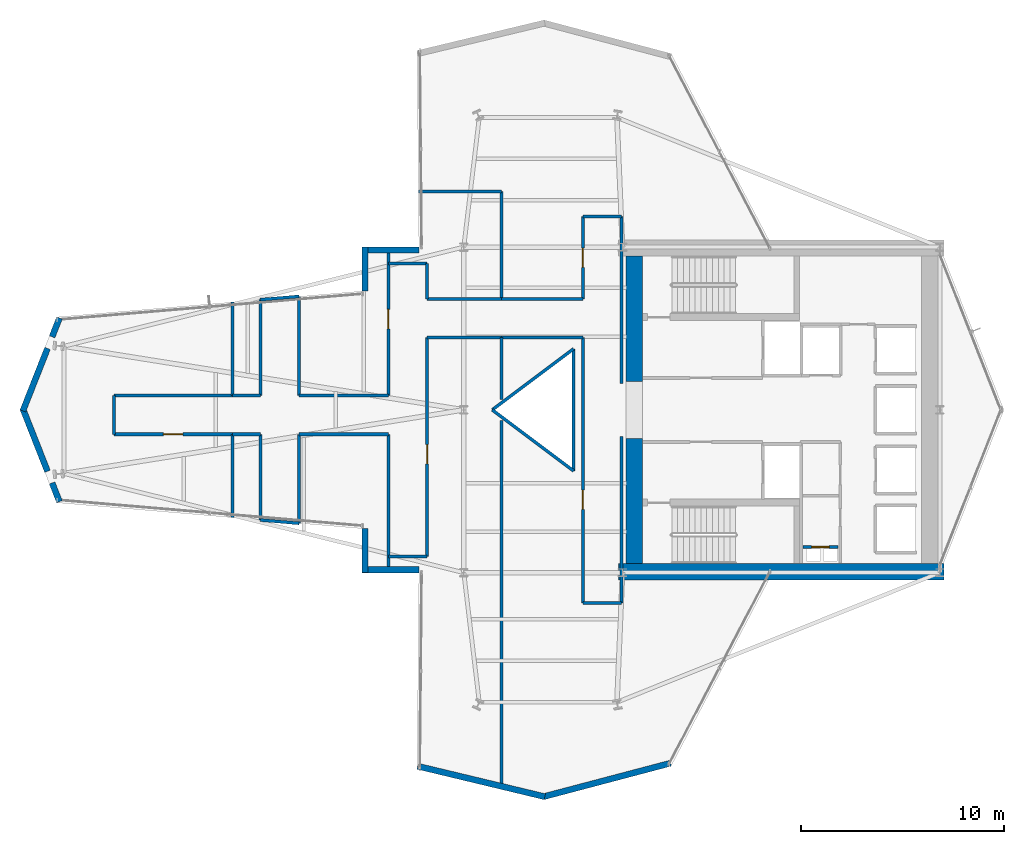
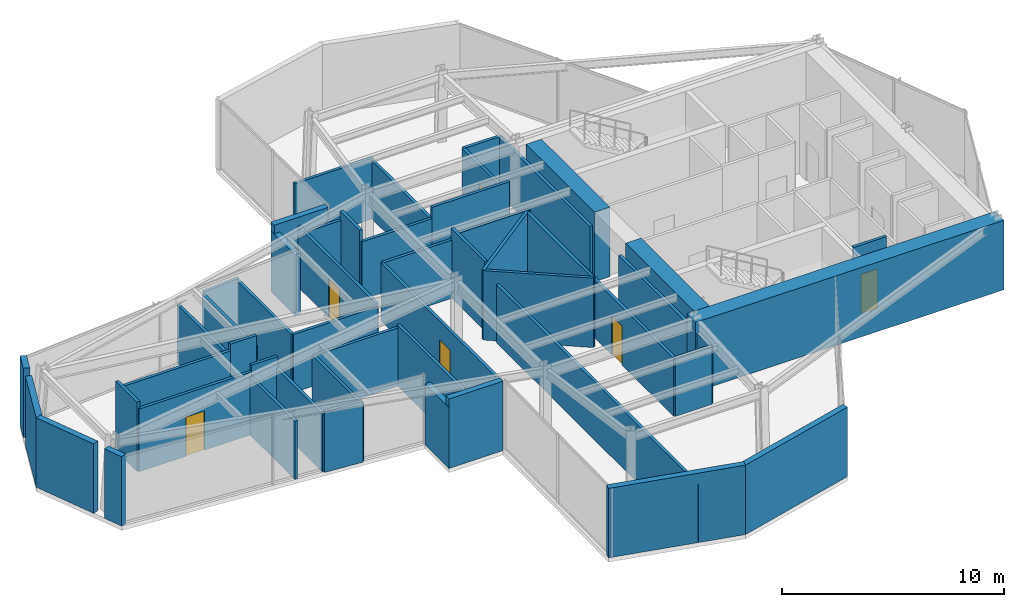
# One storey, part 22 of 25: 52 walls, 6 doors, 6 openings.
"""IFC4 building model written with IfcOpenShell, lengths in metres."""

from ifc_helpers import new_model, si_unit, direction, frame, frame_2d, origin, place, context, subcontext, project, spatial, rectangle, extrude, material, layer, layer_set, type_object, element, fill, save


model = new_model("IFC4")

# Units and contexts
model_context = context("Model", 3, precision=1e-05, world=origin(), true_north=direction((0.0, 1.0)))
body_context = subcontext(model_context, "Body", "Model", "MODEL_VIEW")
ifc_project = project(units=[si_unit("LENGTHUNIT", "METRE"), si_unit("AREAUNIT", "SQUARE_METRE"), si_unit("VOLUMEUNIT", "CUBIC_METRE"), si_unit("PLANEANGLEUNIT", "RADIAN"), si_unit("MASSUNIT", "GRAM", prefix="KILO")], contexts=[model_context])

# Site, building, storey
site_placement = place(None, origin())
site = spatial("IfcSite", under=ifc_project, at=site_placement, CompositionType="ELEMENT")
building_placement = place(site_placement, origin())
building = spatial("IfcBuilding", under=site, at=building_placement, Name="Veymaron Broadcast Tower", CompositionType="ELEMENT")
storey_placement = place(building_placement, frame((0.0, 0.0, 149.25)))
storey = spatial("IfcBuildingStorey", under=building, at=storey_placement, Name="L34", CompositionType="ELEMENT", Elevation=149.25)

# Walls
ifc_material_1 = material(Name="Precast concrete C40/50 with mineral-wool insulation", Category="concrete")
ifc_layer_1 = layer(ifc_material_1, 0.300048828125)
ifc_layer_set_1 = layer_set([ifc_layer_1], Name="Precast concrete C40/50 with mineral-wool insulation")
wall_type_1 = type_object("IfcWallType", Name="WALL-EXT-300", PredefinedType="STANDARD", material=ifc_layer_set_1)
wall_1_placement = place(storey_placement, frame((28.992431640625, 31.860107421875, 0.0), z_axis=(0.0, 0.0, 1.0), x_axis=(-1.0, 0.0, 0.0)))
element("IfcWall", 1, at=wall_1_placement, inside=storey, type_object=wall_type_1, Name="L34 notched corner facade pier 9-1", PredefinedType="STANDARD", context=body_context, shape_type="SweptSolid", body=[
    extrude(rectangle(XDim=2.79248046875, YDim=0.300048828125, at=frame_2d((1.396240234375, 0.0))), origin(), (0.0, 0.0, 1.0), 3.81005859375),
])
wall_2_placement = place(storey_placement, frame((26.340087890625, 32.0, 0.0), z_axis=(0.0, 0.0, 1.0), x_axis=(0.0, -1.0, 0.0)))
element("IfcWall", 2, at=wall_2_placement, inside=storey, type_object=wall_type_1, Name="L34 notched corner facade pier 10-1", PredefinedType="STANDARD", context=body_context, shape_type="SweptSolid", body=[
    extrude(rectangle(XDim=2.162109375, YDim=0.300048828125, at=frame_2d((1.0810546875, 0.0))), origin(), (0.0, 0.0, 1.0), 3.337890625),
])
wall_3_placement = place(storey_placement, frame((11.330078125, 28.514404296875, 0.0), z_axis=(0.0, 0.0, 1.0), x_axis=(-0.36655033137, -0.930398223651, 0.0)))
element("IfcWall", 3, at=wall_3_placement, inside=storey, type_object=wall_type_1, Name="L34 notched corner facade pier 12-1", PredefinedType="STANDARD", context=body_context, shape_type="SweptSolid", body=[
    extrude(rectangle(XDim=0.992431640625, YDim=0.300048828125, at=frame_2d((0.49609375, 0.0))), origin(), (0.0, 0.0, 1.0), 3.81005859375),
])
for number, where, z_axis, x_axis, name in (
    (4, (10.741455078125, 27.021240234375, 0.0), (0.0, 0.0, 1.0), (-0.366733939115, -0.930325866512, 0.0), "L34 notched corner facade pier 12-2"),
    (5, (9.5302734375, 24.05126953125, 0.0), (0.0, 0.0, 1.0), (0.366733939115, -0.930325866512, 0.0), "L34 notched corner facade pier 13-1"),
):
    element("IfcWall", number, at=place(storey_placement, frame(where, z_axis=z_axis, x_axis=x_axis)), inside=storey, type_object=wall_type_1, Name=name, PredefinedType="STANDARD", context=body_context, shape_type="SweptSolid", body=[
        extrude(rectangle(XDim=3.302734375, YDim=0.300048828125, at=frame_2d((1.6513671875, 0.0))), origin(), (0.0, 0.0, 1.0), 3.81005859375),
    ])
wall_4_placement = place(storey_placement, frame((10.96630859375, 20.408935546875, 0.0), z_axis=(0.0, 0.0, 1.0), x_axis=(0.36655033137, -0.930398223651, 0.0)))
element("IfcWall", 6, at=wall_4_placement, inside=storey, type_object=wall_type_1, Name="L34 notched corner facade pier 13-2", PredefinedType="STANDARD", context=body_context, shape_type="SweptSolid", body=[
    extrude(rectangle(XDim=0.992431640625, YDim=0.300048828125, at=frame_2d((0.49609375, 0.0))), origin(), (0.0, 0.0, 1.0), 3.81005859375),
])
wall_5_placement = place(storey_placement, frame((26.340087890625, 18.162109375, 0.0), z_axis=(0.0, 0.0, 1.0), x_axis=(0.0, -1.0, 0.0)))
element("IfcWall", 7, at=wall_5_placement, inside=storey, type_object=wall_type_1, Name="L34 notched corner facade pier 15-1", PredefinedType="STANDARD", context=body_context, shape_type="SweptSolid", body=[
    extrude(rectangle(XDim=2.162109375, YDim=0.300048828125, at=frame_2d((1.0810546875, 0.0))), origin(), (0.0, 0.0, 1.0), 3.337890625),
])
wall_6_placement = place(storey_placement, frame((26.199951171875, 16.139892578125, 0.0), z_axis=(0.0, 0.0, 1.0), x_axis=(1.0, 0.0, 0.0)))
element("IfcWall", 8, at=wall_6_placement, inside=storey, type_object=wall_type_1, Name="L34 notched corner facade pier 16-1", PredefinedType="STANDARD", context=body_context, shape_type="SweptSolid", body=[
    extrude(rectangle(XDim=2.79248046875, YDim=0.300048828125, at=frame_2d((1.396240234375, 0.0))), origin(), (0.0, 0.0, 1.0), 3.81005859375),
])
wall_7_placement = place(storey_placement, frame((28.934814453125, 6.486083984375, 0.0), z_axis=(0.0, 0.0, 1.0), x_axis=(0.972368674271, -0.233450554286, 0.0)))
element("IfcWall", 9, at=wall_7_placement, inside=storey, type_object=wall_type_1, Name="L34 notched corner facade pier 18-1", PredefinedType="STANDARD", context=body_context, shape_type="SweptSolid", body=[
    extrude(rectangle(XDim=6.42529296875, YDim=0.300048828125, at=frame_2d((3.212646484375, 0.0))), origin(), (0.0, 0.0, 1.0), 3.81005859375),
])
wall_8_placement = place(storey_placement, frame((35.1142578125, 4.9853515625, 0.0), z_axis=(0.0, 0.0, 1.0), x_axis=(0.966846094442, 0.255359804319, 0.0)))
element("IfcWall", 10, at=wall_8_placement, inside=storey, type_object=wall_type_1, Name="L34 notched corner facade pier 19-1", PredefinedType="STANDARD", context=body_context, shape_type="SweptSolid", body=[
    extrude(rectangle(XDim=6.462158203125, YDim=0.300048828125, at=frame_2d((3.23095703125, 0.0))), origin(), (0.0, 0.0, 1.0), 3.81005859375),
])

# Wall, opening, door
ifc_material_2 = material(Name="Gypsum fireboard and steel stud framing", Category="steel")
ifc_layer_2 = layer(ifc_material_2, 0.14990234375)
ifc_layer_set_2 = layer_set([ifc_layer_2], Name="Gypsum fireboard and steel stud framing")
wall_type_2 = type_object("IfcWallType", Name="WALL-FIRE-150", PredefinedType="PARTITIONING", material=ifc_layer_set_2)
wall_9_placement = place(storey_placement, frame((47.8798828125, 17.260009765625, 0.0), z_axis=(0.0, 0.0, 1.0), x_axis=(1.0, 0.0, 0.0)))
wall_9 = element("IfcWall", 11, at=wall_9_placement, inside=storey, type_object=wall_type_2, Name="L34 partition IW-L34-RIS-N", PredefinedType="PARTITIONING", context=body_context, shape_type="SweptSolid", body=[
    extrude(rectangle(XDim=1.72021484375, YDim=0.14990234375, at=frame_2d((0.860107421875, 0.0))), origin(), (0.0, 0.0, 1.0), 3.81005859375),
])
opening_1_placement = place(wall_9_placement, frame((0.419921875, 0.0, 0.0)))
opening_1 = element("IfcOpeningElement", 12, at=opening_1_placement, cuts=wall_9, Name="Opening ID-RS1", PredefinedType="OPENING", context=body_context, shape_type="SweptSolid", body=[
    extrude(rectangle(XDim=0.85009765625, YDim=2.14990234375, at=frame_2d((0.425048828125, 1.074951171875))), frame((0.0, 0.0849609375, 0.0), z_axis=(0.0, -1.0, 0.0), x_axis=(1.0, 0.0, 0.0)), (0.0, 0.0, 1.0), 0.169921875),
])
ifc_material_3 = material(Name="Fire-rated powder-coated steel riser leaf", Category="steel")
door_type_1 = type_object("IfcDoorType", Name="DOOR-RIS-850", OperationType="NOTDEFINED", PredefinedType="TRAPDOOR", material=ifc_material_3)
door_1_placement = place(opening_1_placement, origin())
door_1 = element("IfcDoor", 13, at=door_1_placement, inside=storey, type_object=door_type_1, Name="L34 door DR-L34-RIS", OperationType="SINGLE_SWING_LEFT", OverallHeight=2.14990234375, OverallWidth=0.85009765625, PredefinedType="TRAPDOOR", context=body_context, shape_type="SweptSolid", body=[
    extrude(rectangle(XDim=0.85009765625, YDim=2.14990234375, at=frame_2d((0.425048828125, 1.074951171875))), frame((0.0, 0.02490234375, 0.0), z_axis=(0.0, -1.0, 0.0), x_axis=(1.0, 0.0, 0.0)), (0.0, 0.0, 1.0), 0.050048828125),
])
fill(opening_1, door_1)

wall_10_placement = place(storey_placement, frame((37.050048828125, 14.5, 0.0), z_axis=(0.0, 0.0, 1.0), x_axis=(0.0, 1.0, 0.0)))
wall_10 = element("IfcWall", 14, at=wall_10_placement, inside=storey, type_object=wall_type_2, Name="L34 partition IW-L34-P01", PredefinedType="PARTITIONING", context=body_context, shape_type="SweptSolid", body=[
    extrude(rectangle(XDim=13.050048828125, YDim=0.14990234375, at=frame_2d((6.52490234375, 0.0))), origin(), (0.0, 0.0, 1.0), 3.18994140625),
])
opening_2_placement = place(wall_10_placement, frame((4.610107421875, 0.0, 0.0)))
opening_2 = element("IfcOpeningElement", 15, at=opening_2_placement, cuts=wall_10, Name="Opening ID-RM1", PredefinedType="OPENING", context=body_context, shape_type="SweptSolid", body=[
    extrude(rectangle(XDim=0.949951171875, YDim=2.14990234375, at=frame_2d((0.47509765625, 1.074951171875))), frame((0.0, 0.0849609375, 0.0), z_axis=(0.0, -1.0, 0.0), x_axis=(1.0, 0.0, 0.0)), (0.0, 0.0, 1.0), 0.169921875),
])
ifc_material_4 = material(Name="Acoustic solid-core European oak veneer timber", Category="wood")
door_type_2 = type_object("IfcDoorType", Name="DOOR-INT-950", OperationType="NOTDEFINED", PredefinedType="DOOR", material=ifc_material_4)
door_2_placement = place(opening_2_placement, frame((0.949951171875, 0.0, 0.0), z_axis=(0.0, 0.0, 1.0), x_axis=(-1.0, 0.0, 0.0)))
door_2 = element("IfcDoor", 16, at=door_2_placement, inside=storey, type_object=door_type_2, Name="L34 door DR-L34-P01", OperationType="SINGLE_SWING_RIGHT", OverallHeight=2.14990234375, OverallWidth=0.949951171875, PredefinedType="DOOR", context=body_context, shape_type="SweptSolid", body=[
    extrude(rectangle(XDim=0.949951171875, YDim=2.14990234375, at=frame_2d((0.47509765625, 1.074951171875))), frame((0.0, 0.02490234375, 0.0), z_axis=(0.0, -1.0, 0.0), x_axis=(1.0, 0.0, 0.0)), (0.0, 0.0, 1.0), 0.050048828125),
])
fill(opening_2, door_2)

wall_11_placement = place(storey_placement, frame((29.39990234375, 16.800048828125, 0.0), z_axis=(0.0, 0.0, 1.0), x_axis=(0.0, 1.0, 0.0)))
wall_11 = element("IfcWall", 17, at=wall_11_placement, inside=storey, type_object=wall_type_2, Name="L34 partition IW-L34-P05", PredefinedType="PARTITIONING", context=body_context, shape_type="SweptSolid", body=[
    extrude(rectangle(XDim=10.75, YDim=0.14990234375, at=frame_2d((5.375, 0.0))), origin(), (0.0, 0.0, 1.0), 3.18994140625),
])
opening_3_placement = place(wall_11_placement, frame((4.5400390625, 0.0, 0.0)))
opening_3 = element("IfcOpeningElement", 18, at=opening_3_placement, cuts=wall_11, Name="Opening ID-RM1", PredefinedType="OPENING", context=body_context, shape_type="SweptSolid", body=[
    extrude(rectangle(XDim=0.949951171875, YDim=2.14990234375, at=frame_2d((0.47509765625, 1.074951171875))), frame((0.0, 0.0849609375, 0.0), z_axis=(0.0, -1.0, 0.0), x_axis=(1.0, 0.0, 0.0)), (0.0, 0.0, 1.0), 0.169921875),
])
door_3_placement = place(opening_3_placement, frame((0.949951171875, 0.0, 0.0), z_axis=(0.0, 0.0, 1.0), x_axis=(-1.0, 0.0, 0.0)))
door_3 = element("IfcDoor", 19, at=door_3_placement, inside=storey, type_object=door_type_2, Name="L34 door DR-L34-P05", OperationType="SINGLE_SWING_RIGHT", OverallHeight=2.14990234375, OverallWidth=0.949951171875, PredefinedType="DOOR", context=body_context, shape_type="SweptSolid", body=[
    extrude(rectangle(XDim=0.949951171875, YDim=2.14990234375, at=frame_2d((0.47509765625, 1.074951171875))), frame((0.0, 0.02490234375, 0.0), z_axis=(0.0, -1.0, 0.0), x_axis=(1.0, 0.0, 0.0)), (0.0, 0.0, 1.0), 0.050048828125),
])
fill(opening_3, door_3)

wall_12_placement = place(storey_placement, frame((14.0, 22.800048828125, 0.0), z_axis=(0.0, 0.0, 1.0), x_axis=(1.0, 0.0, 0.0)))
wall_12 = element("IfcWall", 20, at=wall_12_placement, inside=storey, type_object=wall_type_2, Name="L34 partition IW-L34-P14", PredefinedType="PARTITIONING", context=body_context, shape_type="SweptSolid", body=[
    extrude(rectangle(XDim=5.8310546875, YDim=0.14990234375, at=frame_2d((2.91552734375, 0.0))), origin(), (0.0, 0.0, 1.0), 3.443115234375),
])
opening_4_placement = place(wall_12_placement, frame((2.4404296875, 0.0, 0.0)))
opening_4 = element("IfcOpeningElement", 21, at=opening_4_placement, cuts=wall_12, Name="Opening ID-RM1", PredefinedType="OPENING", context=body_context, shape_type="SweptSolid", body=[
    extrude(rectangle(XDim=0.949951171875, YDim=2.14990234375, at=frame_2d((0.47509765625, 1.074951171875))), frame((0.0, 0.0849609375, 0.0), z_axis=(0.0, -1.0, 0.0), x_axis=(1.0, 0.0, 0.0)), (0.0, 0.0, 1.0), 0.169921875),
])
door_4_placement = place(opening_4_placement, frame((0.949951171875, 0.0, 0.0), z_axis=(0.0, 0.0, 1.0), x_axis=(-1.0, 0.0, 0.0)))
door_4 = element("IfcDoor", 22, at=door_4_placement, inside=storey, type_object=door_type_2, Name="L34 door DR-L34-P14", OperationType="SINGLE_SWING_LEFT", OverallHeight=2.14990234375, OverallWidth=0.949951171875, PredefinedType="DOOR", context=body_context, shape_type="SweptSolid", body=[
    extrude(rectangle(XDim=0.949951171875, YDim=2.14990234375, at=frame_2d((0.47509765625, 1.074951171875))), frame((0.0, 0.02490234375, 0.0), z_axis=(0.0, -1.0, 0.0), x_axis=(1.0, 0.0, 0.0)), (0.0, 0.0, 1.0), 0.050048828125),
])
fill(opening_4, door_4)

wall_13_placement = place(storey_placement, frame((27.5, 24.699951171875, 0.0), z_axis=(0.0, 0.0, 1.0), x_axis=(0.0, 1.0, 0.0)))
wall_13 = element("IfcWall", 23, at=wall_13_placement, inside=storey, type_object=wall_type_2, Name="L34 partition IW-L34-P17", PredefinedType="PARTITIONING", context=body_context, shape_type="SweptSolid", body=[
    extrude(rectangle(XDim=7.16015625, YDim=0.14990234375, at=frame_2d((3.580078125, 0.0))), origin(), (0.0, 0.0, 1.0), 3.337890625),
])
opening_5_placement = place(wall_13_placement, frame((3.284912109375, 0.0, 0.0)))
opening_5 = element("IfcOpeningElement", 24, at=opening_5_placement, cuts=wall_13, Name="Opening ID-RM1", PredefinedType="OPENING", context=body_context, shape_type="SweptSolid", body=[
    extrude(rectangle(XDim=0.949951171875, YDim=2.14990234375, at=frame_2d((0.47509765625, 1.074951171875))), frame((0.0, 0.0849609375, 0.0), z_axis=(0.0, -1.0, 0.0), x_axis=(1.0, 0.0, 0.0)), (0.0, 0.0, 1.0), 0.169921875),
])
door_5_placement = place(opening_5_placement, origin())
door_5 = element("IfcDoor", 25, at=door_5_placement, inside=storey, type_object=door_type_2, Name="L34 door DR-L34-P17", OperationType="SINGLE_SWING_RIGHT", OverallHeight=2.14990234375, OverallWidth=0.949951171875, PredefinedType="DOOR", context=body_context, shape_type="SweptSolid", body=[
    extrude(rectangle(XDim=0.949951171875, YDim=2.14990234375, at=frame_2d((0.47509765625, 1.074951171875))), frame((0.0, 0.02490234375, 0.0), z_axis=(0.0, -1.0, 0.0), x_axis=(1.0, 0.0, 0.0)), (0.0, 0.0, 1.0), 0.050048828125),
])
fill(opening_5, door_5)

wall_14_placement = place(storey_placement, frame((37.050048828125, 29.449951171875, 0.0), z_axis=(0.0, 0.0, 1.0), x_axis=(0.0, 1.0, 0.0)))
wall_14 = element("IfcWall", 26, at=wall_14_placement, inside=storey, type_object=wall_type_2, Name="L34 partition IW-L34-P27", PredefinedType="PARTITIONING", context=body_context, shape_type="SweptSolid", body=[
    extrude(rectangle(XDim=4.050048828125, YDim=0.14990234375, at=frame_2d((2.02490234375, 0.0))), origin(), (0.0, 0.0, 1.0), 3.18994140625),
])
opening_6_placement = place(wall_14_placement, frame((1.550048828125, 0.0, 0.0)))
opening_6 = element("IfcOpeningElement", 27, at=opening_6_placement, cuts=wall_14, Name="Opening ID-RM1", PredefinedType="OPENING", context=body_context, shape_type="SweptSolid", body=[
    extrude(rectangle(XDim=0.949951171875, YDim=2.14990234375, at=frame_2d((0.47509765625, 1.074951171875))), frame((0.0, 0.0849609375, 0.0), z_axis=(0.0, -1.0, 0.0), x_axis=(1.0, 0.0, 0.0)), (0.0, 0.0, 1.0), 0.169921875),
])
door_6_placement = place(opening_6_placement, origin())
door_6 = element("IfcDoor", 28, at=door_6_placement, inside=storey, type_object=door_type_2, Name="L34 door DR-L34-P27", OperationType="SINGLE_SWING_RIGHT", OverallHeight=2.14990234375, OverallWidth=0.949951171875, PredefinedType="DOOR", context=body_context, shape_type="SweptSolid", body=[
    extrude(rectangle(XDim=0.949951171875, YDim=2.14990234375, at=frame_2d((0.47509765625, 1.074951171875))), frame((0.0, 0.02490234375, 0.0), z_axis=(0.0, -1.0, 0.0), x_axis=(1.0, 0.0, 0.0)), (0.0, 0.0, 1.0), 0.050048828125),
])
fill(opening_6, door_6)

# Walls
wall_15_placement = place(storey_placement, frame((38.949951171875, 14.5, 0.0), z_axis=(0.0, 0.0, 1.0), x_axis=(0.0, 1.0, 0.0)))
element("IfcWall", 29, at=wall_15_placement, inside=storey, type_object=wall_type_2, Name="L34 partition IW-L34-P02", PredefinedType="PARTITIONING", context=body_context, shape_type="SweptSolid", body=[
    extrude(rectangle(XDim=8.199951171875, YDim=0.14990234375, at=frame_2d((4.10009765625, 0.0))), origin(), (0.0, 0.0, 1.0), 3.18994140625),
])
wall_16_placement = place(storey_placement, frame((33.0439453125, 27.550048828125, 0.0), z_axis=(0.0, 0.0, 1.0), x_axis=(1.0, 0.0, 0.0)))
element("IfcWall", 30, at=wall_16_placement, inside=storey, type_object=wall_type_2, Name="L34 partition IW-L34-P03", PredefinedType="PARTITIONING", context=body_context, shape_type="SweptSolid", body=[
    extrude(rectangle(XDim=4.006103515625, YDim=0.14990234375, at=frame_2d((2.0029296875, 0.0))), origin(), (0.0, 0.0, 1.0), 3.443115234375),
])
wall_17_placement = place(storey_placement, frame((37.050048828125, 14.5, 0.0), z_axis=(0.0, 0.0, 1.0), x_axis=(1.0, 0.0, 0.0)))
element("IfcWall", 31, at=wall_17_placement, inside=storey, type_object=wall_type_2, Name="L34 partition IW-L34-P04", PredefinedType="PARTITIONING", context=body_context, shape_type="SweptSolid", body=[
    extrude(rectangle(XDim=1.89990234375, YDim=0.14990234375, at=frame_2d((0.949951171875, 0.0))), origin(), (0.0, 0.0, 1.0), 3.18994140625),
])
wall_18_placement = place(storey_placement, frame((27.5, 16.139892578125, 0.0), z_axis=(0.0, 0.0, 1.0), x_axis=(0.0, 1.0, 0.0)))
element("IfcWall", 32, at=wall_18_placement, inside=storey, type_object=wall_type_2, Name="L34 partition IW-L34-P06", PredefinedType="PARTITIONING", context=body_context, shape_type="SweptSolid", body=[
    extrude(rectangle(XDim=6.66015625, YDim=0.14990234375, at=frame_2d((3.330078125, 0.0))), origin(), (0.0, 0.0, 1.0), 3.337890625),
])
wall_19_placement = place(storey_placement, frame((23.10009765625, 22.800048828125, 0.0), z_axis=(0.0, 0.0, 1.0), x_axis=(1.0, 0.0, 0.0)))
element("IfcWall", 33, at=wall_19_placement, inside=storey, type_object=wall_type_2, Name="L34 partition IW-L34-P07", PredefinedType="PARTITIONING", context=body_context, shape_type="SweptSolid", body=[
    extrude(rectangle(XDim=4.39990234375, YDim=0.14990234375, at=frame_2d((2.199951171875, 0.0))), origin(), (0.0, 0.0, 1.0), 3.18994140625),
])
wall_20_placement = place(storey_placement, frame((23.10009765625, 18.425048828125, 0.0), z_axis=(0.0, 0.0, 1.0), x_axis=(0.0, 1.0, 0.0)))
element("IfcWall", 34, at=wall_20_placement, inside=storey, type_object=wall_type_2, Name="L34 partition IW-L34-P08", PredefinedType="PARTITIONING", context=body_context, shape_type="SweptSolid", body=[
    extrude(rectangle(XDim=4.375, YDim=0.14990234375, at=frame_2d((2.1875, 0.0))), origin(), (0.0, 0.0, 1.0), 3.18994140625),
])
wall_21_placement = place(storey_placement, frame((21.199951171875, 18.586181640625, 0.0), z_axis=(0.0, 0.0, 1.0), x_axis=(0.0, 1.0, 0.0)))
element("IfcWall", 35, at=wall_21_placement, inside=storey, type_object=wall_type_2, Name="L34 partition IW-L34-P09", PredefinedType="PARTITIONING", context=body_context, shape_type="SweptSolid", body=[
    extrude(rectangle(XDim=4.2138671875, YDim=0.14990234375, at=frame_2d((2.10693359375, 0.0))), origin(), (0.0, 0.0, 1.0), 3.18994140625),
])
wall_22_placement = place(storey_placement, frame((29.39990234375, 27.550048828125, 0.0), z_axis=(0.0, 0.0, 1.0), x_axis=(1.0, 0.0, 0.0)))
element("IfcWall", 36, at=wall_22_placement, inside=storey, type_object=wall_type_2, Name="L34 partition IW-L34-P10", PredefinedType="PARTITIONING", context=body_context, shape_type="SweptSolid", body=[
    extrude(rectangle(XDim=3.64404296875, YDim=0.14990234375, at=frame_2d((1.822021484375, 0.0))), origin(), (0.0, 0.0, 1.0), 3.18994140625),
])
wall_23_placement = place(storey_placement, frame((21.199951171875, 18.586181640625, 0.0), z_axis=(0.0, 0.0, 1.0), x_axis=(0.996423738921, -0.084496937902, 0.0)))
element("IfcWall", 37, at=wall_23_placement, inside=storey, type_object=wall_type_2, Name="L34 partition IW-L34-P11", PredefinedType="PARTITIONING", context=body_context, shape_type="SweptSolid", body=[
    extrude(rectangle(XDim=1.906982421875, YDim=0.14990234375, at=frame_2d((0.95361328125, 0.0))), origin(), (0.0, 0.0, 1.0), 3.337890625),
])
wall_24_placement = place(storey_placement, frame((27.5, 16.800048828125, 0.0), z_axis=(0.0, 0.0, 1.0), x_axis=(1.0, 0.0, 0.0)))
element("IfcWall", 38, at=wall_24_placement, inside=storey, type_object=wall_type_2, Name="L34 partition IW-L34-P12", PredefinedType="PARTITIONING", context=body_context, shape_type="SweptSolid", body=[
    extrude(rectangle(XDim=1.89990234375, YDim=0.14990234375, at=frame_2d((0.949951171875, 0.0))), origin(), (0.0, 0.0, 1.0), 3.337890625),
])
wall_25_placement = place(storey_placement, frame((19.8310546875, 22.800048828125, 0.0), z_axis=(0.0, 0.0, 1.0), x_axis=(1.0, 0.0, 0.0)))
element("IfcWall", 39, at=wall_25_placement, inside=storey, type_object=wall_type_2, Name="L34 partition IW-L34-P13", PredefinedType="PARTITIONING", context=body_context, shape_type="SweptSolid", body=[
    extrude(rectangle(XDim=1.368896484375, YDim=0.14990234375, at=frame_2d((0.6845703125, 0.0))), origin(), (0.0, 0.0, 1.0), 3.81005859375),
])
wall_26_placement = place(storey_placement, frame((14.0, 24.699951171875, 0.0), z_axis=(0.0, 0.0, 1.0), x_axis=(1.0, 0.0, 0.0)))
element("IfcWall", 40, at=wall_26_placement, inside=storey, type_object=wall_type_2, Name="L34 partition IW-L34-P15", PredefinedType="PARTITIONING", context=body_context, shape_type="SweptSolid", body=[
    extrude(rectangle(XDim=5.8310546875, YDim=0.14990234375, at=frame_2d((2.91552734375, 0.0))), origin(), (0.0, 0.0, 1.0), 3.443115234375),
])
wall_27_placement = place(storey_placement, frame((14.0, 22.800048828125, 0.0), z_axis=(0.0, 0.0, 1.0), x_axis=(0.0, 1.0, 0.0)))
element("IfcWall", 41, at=wall_27_placement, inside=storey, type_object=wall_type_2, Name="L34 partition IW-L34-P16", PredefinedType="PARTITIONING", context=body_context, shape_type="SweptSolid", body=[
    extrude(rectangle(XDim=1.89990234375, YDim=0.14990234375, at=frame_2d((0.949951171875, 0.0))), origin(), (0.0, 0.0, 1.0), 3.81005859375),
])
wall_28_placement = place(storey_placement, frame((23.10009765625, 24.699951171875, 0.0), z_axis=(0.0, 0.0, 1.0), x_axis=(0.0, 1.0, 0.0)))
element("IfcWall", 42, at=wall_28_placement, inside=storey, type_object=wall_type_2, Name="L34 partition IW-L34-P18", PredefinedType="PARTITIONING", context=body_context, shape_type="SweptSolid", body=[
    extrude(rectangle(XDim=4.875, YDim=0.14990234375, at=frame_2d((2.4375, 0.0))), origin(), (0.0, 0.0, 1.0), 3.18994140625),
])
wall_29_placement = place(storey_placement, frame((21.199951171875, 24.699951171875, 0.0), z_axis=(0.0, 0.0, 1.0), x_axis=(0.0, 1.0, 0.0)))
element("IfcWall", 43, at=wall_29_placement, inside=storey, type_object=wall_type_2, Name="L34 partition IW-L34-P19", PredefinedType="PARTITIONING", context=body_context, shape_type="SweptSolid", body=[
    extrude(rectangle(XDim=4.7138671875, YDim=0.14990234375, at=frame_2d((2.35693359375, 0.0))), origin(), (0.0, 0.0, 1.0), 3.18994140625),
])
wall_30_placement = place(storey_placement, frame((23.10009765625, 24.699951171875, 0.0), z_axis=(0.0, 0.0, 1.0), x_axis=(1.0, 0.0, 0.0)))
element("IfcWall", 44, at=wall_30_placement, inside=storey, type_object=wall_type_2, Name="L34 partition IW-L34-P20", PredefinedType="PARTITIONING", context=body_context, shape_type="SweptSolid", body=[
    extrude(rectangle(XDim=4.39990234375, YDim=0.14990234375, at=frame_2d((2.199951171875, 0.0))), origin(), (0.0, 0.0, 1.0), 3.18994140625),
])
wall_31_placement = place(storey_placement, frame((29.39990234375, 29.449951171875, 0.0), z_axis=(0.0, 0.0, 1.0), x_axis=(1.0, 0.0, 0.0)))
element("IfcWall", 45, at=wall_31_placement, inside=storey, type_object=wall_type_2, Name="L34 partition IW-L34-P21", PredefinedType="PARTITIONING", context=body_context, shape_type="SweptSolid", body=[
    extrude(rectangle(XDim=3.64404296875, YDim=0.14990234375, at=frame_2d((1.822021484375, 0.0))), origin(), (0.0, 0.0, 1.0), 3.18994140625),
])
wall_32_placement = place(storey_placement, frame((21.199951171875, 29.413818359375, 0.0), z_axis=(0.0, 0.0, 1.0), x_axis=(0.996423738921, 0.084496937902, 0.0)))
element("IfcWall", 46, at=wall_32_placement, inside=storey, type_object=wall_type_2, Name="L34 partition IW-L34-P22", PredefinedType="PARTITIONING", context=body_context, shape_type="SweptSolid", body=[
    extrude(rectangle(XDim=1.906982421875, YDim=0.14990234375, at=frame_2d((0.95361328125, 0.0))), origin(), (0.0, 0.0, 1.0), 3.337890625),
])
wall_33_placement = place(storey_placement, frame((27.5, 31.199951171875, 0.0), z_axis=(0.0, 0.0, 1.0), x_axis=(1.0, 0.0, 0.0)))
element("IfcWall", 47, at=wall_33_placement, inside=storey, type_object=wall_type_2, Name="L34 partition IW-L34-P23", PredefinedType="PARTITIONING", context=body_context, shape_type="SweptSolid", body=[
    extrude(rectangle(XDim=1.89990234375, YDim=0.14990234375, at=frame_2d((0.949951171875, 0.0))), origin(), (0.0, 0.0, 1.0), 3.337890625),
])
wall_34_placement = place(storey_placement, frame((29.39990234375, 29.449951171875, 0.0), z_axis=(0.0, 0.0, 1.0), x_axis=(0.0, 1.0, 0.0)))
element("IfcWall", 48, at=wall_34_placement, inside=storey, type_object=wall_type_2, Name="L34 partition IW-L34-P24", PredefinedType="PARTITIONING", context=body_context, shape_type="SweptSolid", body=[
    extrude(rectangle(XDim=1.75, YDim=0.14990234375, at=frame_2d((0.875, 0.0))), origin(), (0.0, 0.0, 1.0), 3.81005859375),
])
wall_35_placement = place(storey_placement, frame((19.8310546875, 24.699951171875, 0.0), z_axis=(0.0, 0.0, 1.0), x_axis=(1.0, 0.0, 0.0)))
element("IfcWall", 49, at=wall_35_placement, inside=storey, type_object=wall_type_2, Name="L34 partition IW-L34-P25", PredefinedType="PARTITIONING", context=body_context, shape_type="SweptSolid", body=[
    extrude(rectangle(XDim=1.368896484375, YDim=0.14990234375, at=frame_2d((0.6845703125, 0.0))), origin(), (0.0, 0.0, 1.0), 3.81005859375),
])
wall_36_placement = place(storey_placement, frame((38.949951171875, 25.300048828125, 0.0), z_axis=(0.0, 0.0, 1.0), x_axis=(0.0, 1.0, 0.0)))
element("IfcWall", 50, at=wall_36_placement, inside=storey, type_object=wall_type_2, Name="L34 partition IW-L34-P26", PredefinedType="PARTITIONING", context=body_context, shape_type="SweptSolid", body=[
    extrude(rectangle(XDim=8.199951171875, YDim=0.14990234375, at=frame_2d((4.10009765625, 0.0))), origin(), (0.0, 0.0, 1.0), 3.18994140625),
])
wall_37_placement = place(storey_placement, frame((33.0439453125, 29.449951171875, 0.0), z_axis=(0.0, 0.0, 1.0), x_axis=(1.0, 0.0, 0.0)))
element("IfcWall", 51, at=wall_37_placement, inside=storey, type_object=wall_type_2, Name="L34 partition IW-L34-P28", PredefinedType="PARTITIONING", context=body_context, shape_type="SweptSolid", body=[
    extrude(rectangle(XDim=4.006103515625, YDim=0.14990234375, at=frame_2d((2.0029296875, 0.0))), origin(), (0.0, 0.0, 1.0), 3.81005859375),
])
wall_38_placement = place(storey_placement, frame((37.050048828125, 33.5, 0.0), z_axis=(0.0, 0.0, 1.0), x_axis=(1.0, 0.0, 0.0)))
element("IfcWall", 52, at=wall_38_placement, inside=storey, type_object=wall_type_2, Name="L34 partition IW-L34-P29", PredefinedType="PARTITIONING", context=body_context, shape_type="SweptSolid", body=[
    extrude(rectangle(XDim=1.89990234375, YDim=0.14990234375, at=frame_2d((0.949951171875, 0.0))), origin(), (0.0, 0.0, 1.0), 3.18994140625),
])
ifc_material_5 = material(Name="Fire-rated laminated glass in aluminium frame", Category="aluminium")
ifc_layer_3 = layer(ifc_material_5, 0.14990234375)
ifc_layer_set_3 = layer_set([ifc_layer_3], Name="Fire-rated laminated glass in aluminium frame")
wall_type_3 = type_object("IfcWallType", Name="WALL-GLZ-150", PredefinedType="MOVABLE", material=ifc_layer_set_3)
wall_39_placement = place(storey_placement, frame((33.0439453125, 5.355712890625, 0.0), z_axis=(0.0, 0.0, 1.0), x_axis=(0.0, 1.0, 0.0)))
element("IfcWall", 53, at=wall_39_placement, inside=storey, type_object=wall_type_3, Name="L34 partition IW-L34-P30", PredefinedType="MOVABLE", context=body_context, shape_type="SweptSolid", body=[
    extrude(rectangle(XDim=18.123779296875, YDim=0.14990234375, at=frame_2d((9.06201171875, 0.0))), origin(), (0.0, 0.0, 1.0), 3.18994140625),
])
wall_40_placement = place(storey_placement, frame((33.0439453125, 24.5205078125, 0.0), z_axis=(0.0, 0.0, 1.0), x_axis=(0.0, 1.0, 0.0)))
element("IfcWall", 54, at=wall_40_placement, inside=storey, type_object=wall_type_3, Name="L34 partition IW-L34-P31", PredefinedType="MOVABLE", context=body_context, shape_type="SweptSolid", body=[
    extrude(rectangle(XDim=3.029541015625, YDim=0.14990234375, at=frame_2d((1.5146484375, 0.0))), origin(), (0.0, 0.0, 1.0), 3.81005859375),
])
wall_41_placement = place(storey_placement, frame((19.8310546875, 18.702392578125, 0.0), z_axis=(0.0, 0.0, 1.0), x_axis=(0.0, 1.0, 0.0)))
element("IfcWall", 55, at=wall_41_placement, inside=storey, type_object=wall_type_3, Name="L34 partition IW-L34-P32", PredefinedType="MOVABLE", context=body_context, shape_type="SweptSolid", body=[
    extrude(rectangle(XDim=4.09765625, YDim=0.14990234375, at=frame_2d((2.048828125, 0.0))), origin(), (0.0, 0.0, 1.0), 3.18994140625),
])
wall_42_placement = place(storey_placement, frame((19.8310546875, 24.699951171875, 0.0), z_axis=(0.0, 0.0, 1.0), x_axis=(0.0, 1.0, 0.0)))
element("IfcWall", 56, at=wall_42_placement, inside=storey, type_object=wall_type_3, Name="L34 partition IW-L34-P33", PredefinedType="MOVABLE", context=body_context, shape_type="SweptSolid", body=[
    extrude(rectangle(XDim=4.59765625, YDim=0.14990234375, at=frame_2d((2.298828125, 0.0))), origin(), (0.0, 0.0, 1.0), 3.18994140625),
])
wall_43_placement = place(storey_placement, frame((33.0439453125, 29.449951171875, 0.0), z_axis=(0.0, 0.0, 1.0), x_axis=(0.0, 1.0, 0.0)))
element("IfcWall", 57, at=wall_43_placement, inside=storey, type_object=wall_type_3, Name="L34 partition IW-L34-P34", PredefinedType="MOVABLE", context=body_context, shape_type="SweptSolid", body=[
    extrude(rectangle(XDim=5.274169921875, YDim=0.14990234375, at=frame_2d((2.63720703125, 0.0))), origin(), (0.0, 0.0, 1.0), 3.18994140625),
])
wall_44_placement = place(storey_placement, frame((28.967041015625, 34.72412109375, 0.0), z_axis=(0.0, 0.0, 1.0), x_axis=(1.0, 0.0, 0.0)))
element("IfcWall", 58, at=wall_44_placement, inside=storey, type_object=wall_type_3, Name="L34 partition IW-L34-P35", PredefinedType="MOVABLE", context=body_context, shape_type="SweptSolid", body=[
    extrude(rectangle(XDim=4.076904296875, YDim=0.14990234375, at=frame_2d((2.03857421875, 0.0))), origin(), (0.0, 0.0, 1.0), 3.337890625),
])
wall_45_placement = place(storey_placement, frame((32.60009765625, 24.0, 0.0), z_axis=(0.0, 0.0, 1.0), x_axis=(0.8, -0.6, 0.0)))
element("IfcWall", 59, at=wall_45_placement, inside=storey, type_object=wall_type_3, Name="L34 partition IW-L34-ATR1", PredefinedType="MOVABLE", context=body_context, shape_type="SweptSolid", body=[
    extrude(rectangle(XDim=5.0, YDim=0.14990234375, at=frame_2d((2.5, 0.0))), origin(), (0.0, 0.0, 1.0), 3.81005859375),
])
wall_46_placement = place(storey_placement, frame((36.60009765625, 21.0, 0.0), z_axis=(0.0, 0.0, 1.0), x_axis=(0.0, 1.0, 0.0)))
element("IfcWall", 60, at=wall_46_placement, inside=storey, type_object=wall_type_3, Name="L34 partition IW-L34-ATR2", PredefinedType="MOVABLE", context=body_context, shape_type="SweptSolid", body=[
    extrude(rectangle(XDim=6.0, YDim=0.14990234375, at=frame_2d((3.0, 0.0))), origin(), (0.0, 0.0, 1.0), 3.81005859375),
])
wall_47_placement = place(storey_placement, frame((36.60009765625, 27.0, 0.0), z_axis=(0.0, 0.0, 1.0), x_axis=(-0.8, -0.6, 0.0)))
element("IfcWall", 61, at=wall_47_placement, inside=storey, type_object=wall_type_3, Name="L34 partition IW-L34-ATR3", PredefinedType="MOVABLE", context=body_context, shape_type="SweptSolid", body=[
    extrude(rectangle(XDim=5.0, YDim=0.14990234375, at=frame_2d((2.5, 0.0))), origin(), (0.0, 0.0, 1.0), 3.81005859375),
])
ifc_material_6 = material(Name="Concrete C60/75", Category="concrete")
ifc_layer_4 = layer(ifc_material_6, 0.800048828125)
ifc_layer_set_4 = layer_set([ifc_layer_4], Name="Concrete C60/75")
wall_type_4 = type_object("IfcWallType", Name="WALL-SHEAR-800", PredefinedType="SHEAR", material=ifc_layer_set_4)
wall_48_placement = place(storey_placement, frame((38.800048828125, 16.050048828125, 0.0), z_axis=(0.0, 0.0, 1.0), x_axis=(1.0, 0.0, 0.0)))
element("IfcWall", 62, at=wall_48_placement, inside=storey, type_object=wall_type_4, Name="L34 Core Wall south shear", PredefinedType="SHEAR", context=body_context, shape_type="SweptSolid", body=[
    extrude(rectangle(XDim=16.0, YDim=0.800048828125, at=frame_2d((8.0, 0.0))), origin(), (0.0, 0.0, 1.0), 3.81005859375),
])
for number, where, z_axis, x_axis, name in (
    (63, (39.580078125, 16.449951171875, 0.0), (0.0, 0.0, 1.0), (0.0, 1.0, 0.0), "L34 Core Wall west-south shear"),
    (64, (39.580078125, 25.39990234375, 0.0), (0.0, 0.0, 1.0), (0.0, 1.0, 0.0), "L34 Core Wall west-north shear"),
):
    element("IfcWall", number, at=place(storey_placement, frame(where, z_axis=z_axis, x_axis=x_axis)), inside=storey, type_object=wall_type_4, Name=name, PredefinedType="SHEAR", context=body_context, shape_type="SweptSolid", body=[
        extrude(rectangle(XDim=6.150146484375, YDim=0.800048828125, at=frame_2d((3.0751953125, 0.0))), origin(), (0.0, 0.0, 1.0), 3.81005859375),
    ])

save(model, "model.ifc")
